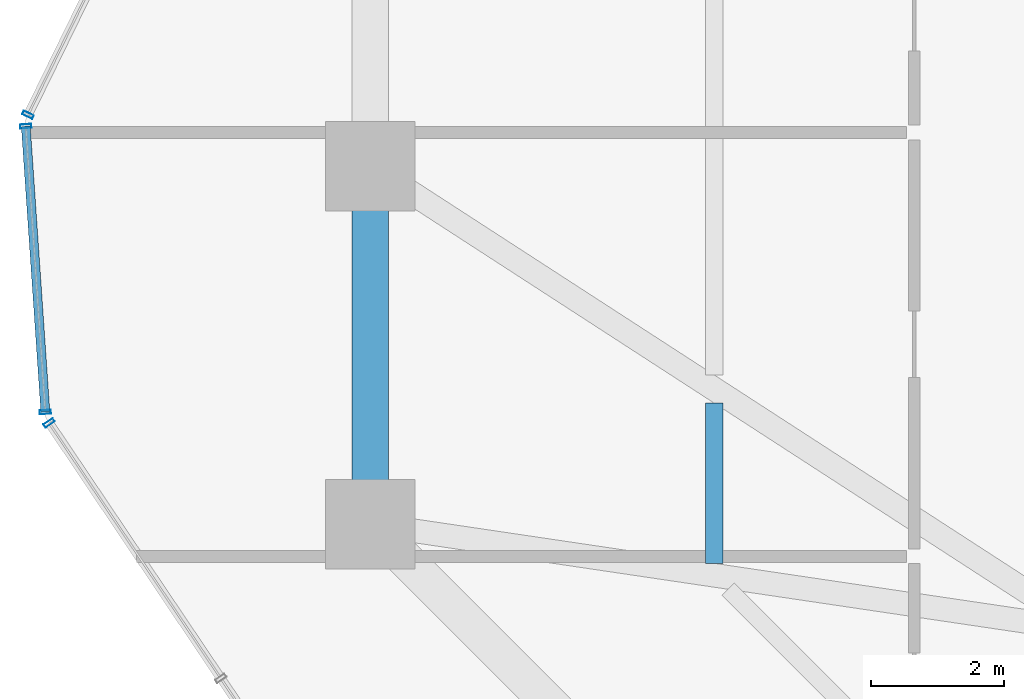
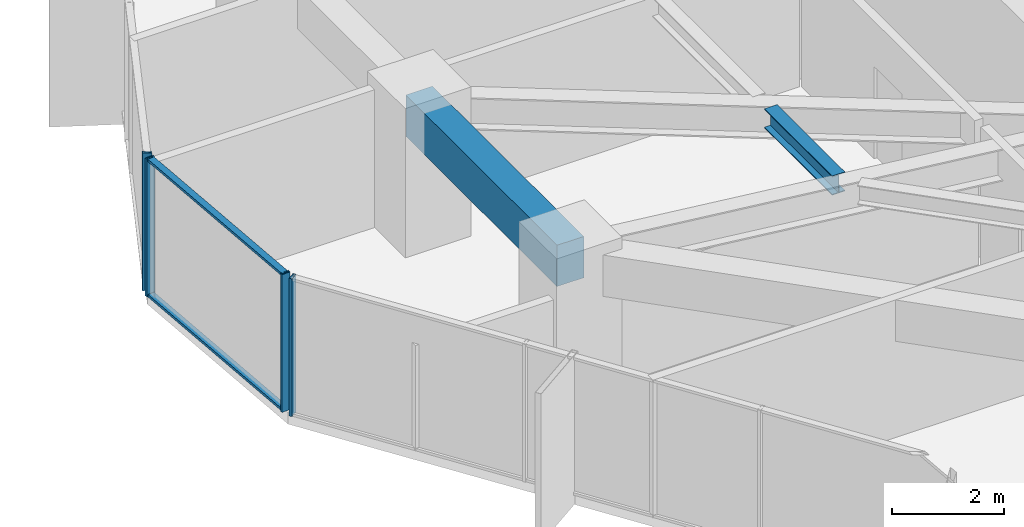
# One storey, part 10 of 37: 6 members, 2 beams, 3 elements without a shape of their own.
"""IFC4 building model written with IfcOpenShell, lengths in metres."""

from ifc_helpers import new_model, si_unit, direction, frame, origin, origin_2d, place, context, subcontext, project, spatial, rectangle, hollow_rectangle, i_section, extrude, source, transform, mapped, material, layer, layer_set, material_profile, profile_set, type_object, element, aggregate, save


model = new_model("IFC4")

# Units and contexts
model_context = context("Model", 3, precision=1e-05, world=origin(), true_north=direction((0.0, 1.0)))
body_context = subcontext(model_context, "Body", "Model", "MODEL_VIEW")
ifc_project = project(units=[si_unit("LENGTHUNIT", "METRE"), si_unit("AREAUNIT", "SQUARE_METRE"), si_unit("VOLUMEUNIT", "CUBIC_METRE"), si_unit("PLANEANGLEUNIT", "RADIAN"), si_unit("MASSUNIT", "GRAM", prefix="KILO")], contexts=[model_context])

# Site, building, storey
site_placement = place(None, origin())
site = spatial("IfcSite", under=ifc_project, at=site_placement, CompositionType="ELEMENT")
building_placement = place(site_placement, origin())
building = spatial("IfcBuilding", under=site, at=building_placement, Name="Veraguas Prism Commons", CompositionType="ELEMENT")
storey_placement = place(building_placement, frame((0.0, 0.0, 37.050048828125)))
storey = spatial("IfcBuildingStorey", under=building, at=storey_placement, Name="L09", CompositionType="ELEMENT", Elevation=37.050048828125)

# Beams
ifc_material_1 = material(Name="Steel ASTM A992 Grade 50", Category="steel")
ifc_material_profile_1 = material_profile(ifc_material_1, i_section(OverallWidth=0.260986328125, OverallDepth=0.419921875, WebThickness=0.01171875, FlangeThickness=0.019287109375, at=origin_2d()), Name="W410X114")
ifc_profile_set_1 = profile_set([ifc_material_profile_1], Name="Steel ASTM A992 Grade 50")
beam_type_1 = type_object("IfcBeamType", Name="Lower Floor Joist W410x114", PredefinedType="JOIST", material=ifc_profile_set_1)
beam_1_placement = place(storey_placement, frame((11.583984375, 20.430419921875, 2.7900390625), z_axis=(0.0, -1.0, 0.0), x_axis=(1.0, 0.0, 0.0)))
element("IfcBeam", 1, at=beam_1_placement, inside=storey, type_object=beam_type_1, Name="Composite Floor Joist L09-JS08", PredefinedType="JOIST", context=body_context, shape_type="SweptSolid", body=[
    extrude(i_section(OverallWidth=0.260986328125, OverallDepth=0.419921875, WebThickness=0.01171875, FlangeThickness=0.019287109375, at=origin_2d()), origin(), (0.0, 0.0, 1.0), 2.42041015625),
])
ifc_material_2 = material(Name="Concrete C50/60", Category="concrete")
ifc_material_profile_2 = material_profile(ifc_material_2, rectangle(XDim=0.550048828125, YDim=0.89990234375, at=origin_2d()), Name="RC550X900")
ifc_profile_set_2 = profile_set([ifc_material_profile_2], Name="Concrete C50/60")
beam_type_2 = type_object("IfcBeamType", Name="Perimeter Spandrel Lower RC 550x900", PredefinedType="SPANDREL", material=ifc_profile_set_2)
beam_2_placement = place(storey_placement, frame((6.39990234375, 24.0, 2.550048828125), z_axis=(0.0, -1.0, 0.0), x_axis=(1.0, 0.0, 0.0)))
element("IfcBeam", 2, at=beam_2_placement, inside=storey, type_object=beam_type_2, Name="Perimeter Spandrel Beam L09-SP08", PredefinedType="SPANDREL", context=body_context, shape_type="SweptSolid", body=[
    extrude(rectangle(XDim=0.550048828125, YDim=0.89990234375, at=origin_2d()), origin(), (0.0, 0.0, 1.0), 5.39990234375),
])

# Curtain wall, members
ifc_material_3 = material(Name="Anodised aluminium EN AW-6063 T6", Category="aluminium")
ifc_layer = layer(ifc_material_3, 0.169921875, Name="Unitised Flush Curtain Wall Zone 1", Category="aluminium")
ifc_layer_set = layer_set([ifc_layer], Name="Anodised aluminium EN AW-6063 T6")
curtain_wall_type = type_object("IfcCurtainWallType", Name="Unitised Flush Curtain Wall Zone 1", PredefinedType="NOTDEFINED", material=ifc_layer_set)
curtain_wall_1_placement = place(storey_placement, origin())
curtain_wall_1 = element("IfcCurtainWall", 3, at=curtain_wall_1_placement, inside=storey, type_object=curtain_wall_type, Name="Chamfer Curtain Wall L09-C4", PredefinedType="NOTDEFINED")
ifc_material_profile_3 = material_profile(ifc_material_3, hollow_rectangle(XDim=0.054931640625, YDim=0.135009765625, WallThickness=0.0029296875, at=origin_2d()), Name="AL55X135X3")
ifc_profile_set_3 = profile_set([ifc_material_profile_3], Name="Anodised aluminium EN AW-6063 T6")
member_type_1 = type_object("IfcMemberType", Name="Curtain Wall Transom Standard AL 55x135x3", PredefinedType="USERDEFINED", material=ifc_profile_set_3)
shared_shape_1 = source(origin(), body_context, "Body", "SweptSolid", [
    extrude(hollow_rectangle(XDim=0.054931640625, YDim=0.135009765625, WallThickness=0.0029296875, at=origin_2d()), origin(), (0.0, 0.0, 1.0), 4.31982421875),
])
member_1_placement = place(storey_placement, frame((1.204345703125, 24.60302734375, 0.02734375), z_axis=(0.068383138918, -0.997659133327, 0.0), x_axis=(0.0, 0.0, 1.0)))
member_1 = element("IfcMember", 4, at=member_1_placement, type_object=member_type_1, Name="CW-Z1 Transom 1", ObjectType="TRANSOM", PredefinedType="USERDEFINED", context=body_context, shape_type="MappedRepresentation", body=[
    mapped(shared_shape_1, transform((0.0, 0.0, 0.0), scale=1.0)),
])
member_2_placement = place(storey_placement, frame((1.204345703125, 24.60302734375, 2.972412109375), z_axis=(0.068383138918, -0.997659133327, 0.0), x_axis=(0.0, 0.0, 1.0)))
member_2 = element("IfcMember", 5, at=member_2_placement, type_object=member_type_1, Name="CW-Z1 Transom 2", ObjectType="TRANSOM", PredefinedType="USERDEFINED", context=body_context, shape_type="MappedRepresentation", body=[
    mapped(shared_shape_1, transform((0.0, 0.0, 0.0), scale=1.0)),
])

# Curtain wall, member
curtain_wall_2_placement = place(storey_placement, origin())
curtain_wall_2 = element("IfcCurtainWall", 6, at=curtain_wall_2_placement, inside=storey, type_object=curtain_wall_type, Name="Tower Facade Curtain Wall L09-F3", PredefinedType="NOTDEFINED")
ifc_material_profile_4 = material_profile(ifc_material_3, hollow_rectangle(XDim=0.06005859375, YDim=0.169921875, WallThickness=0.00390625, at=origin_2d()), Name="AL60X170X4")
ifc_profile_set_4 = profile_set([ifc_material_profile_4], Name="Anodised aluminium EN AW-6063 T6")
member_type_2 = type_object("IfcMemberType", Name="Curtain Wall Mullion Lower AL 60x170x4", PredefinedType="MULLION", material=ifc_profile_set_4)
shared_shape_2 = source(origin(), body_context, "Body", "SweptSolid", [
    extrude(hollow_rectangle(XDim=0.06005859375, YDim=0.169921875, WallThickness=0.00390625, at=origin_2d()), origin(), (0.0, 0.0, 1.0), 3.0),
])
member_3_placement = place(storey_placement, frame((1.23779296875, 24.773681640625, 0.0), z_axis=(0.0, 0.0, 1.0), x_axis=(-0.4396256723, -0.898181088787, 0.0)))
member_3 = element("IfcMember", 7, at=member_3_placement, type_object=member_type_2, Name="CW-Z1 Mullion 5", PredefinedType="MULLION", context=body_context, shape_type="MappedRepresentation", body=[
    mapped(shared_shape_2, transform((0.0, 0.0, 0.0), scale=1.0)),
])
aggregate(curtain_wall_2, [member_3])

curtain_wall_3_placement = place(storey_placement, origin())
curtain_wall_3 = element("IfcCurtainWall", 8, at=curtain_wall_3_placement, inside=storey, type_object=curtain_wall_type, Name="Tower Facade Curtain Wall L09-F4", PredefinedType="NOTDEFINED")
member_4_placement = place(storey_placement, frame((1.55615234375, 20.128662109375, 0.0), z_axis=(0.0, 0.0, 1.0), x_axis=(0.558034803938, -0.829817544761, 0.0)))
member_4 = element("IfcMember", 9, at=member_4_placement, type_object=member_type_2, Name="CW-Z1 Mullion 1", PredefinedType="MULLION", context=body_context, shape_type="MappedRepresentation", body=[
    mapped(shared_shape_2, transform((0.0, 0.0, 0.0), scale=1.0)),
])
aggregate(curtain_wall_3, [member_4])

# Member
member_5_placement = place(storey_placement, frame((1.204345703125, 24.60302734375, 0.0), z_axis=(0.0, 0.0, 1.0), x_axis=(0.068379215231, -0.997659402263, 0.0)))
member_5 = element("IfcMember", 10, at=member_5_placement, type_object=member_type_2, Name="CW-Z1 Mullion 1", PredefinedType="MULLION", context=body_context, shape_type="MappedRepresentation", body=[
    mapped(shared_shape_2, transform((0.0, 0.0, 0.0), scale=1.0)),
])

member_6_placement = place(storey_placement, frame((1.499755859375, 20.293212890625, 0.0), z_axis=(0.0, 0.0, 1.0), x_axis=(0.068379215231, -0.997659402263, 0.0)))
member_6 = element("IfcMember", 11, at=member_6_placement, type_object=member_type_2, Name="CW-Z1 Mullion 2", PredefinedType="MULLION", context=body_context, shape_type="MappedRepresentation", body=[
    mapped(shared_shape_2, transform((0.0, 0.0, 0.0), scale=1.0)),
])

aggregate(curtain_wall_1, [member_5, member_6, member_1, member_2])

save(model, "model.ifc")
